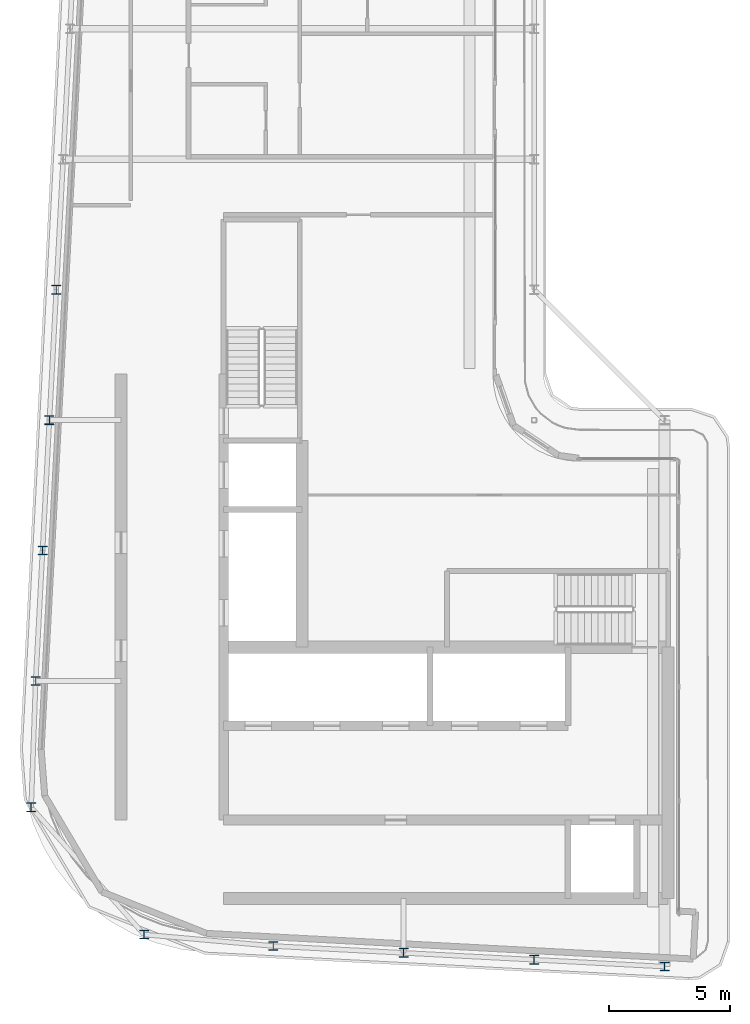
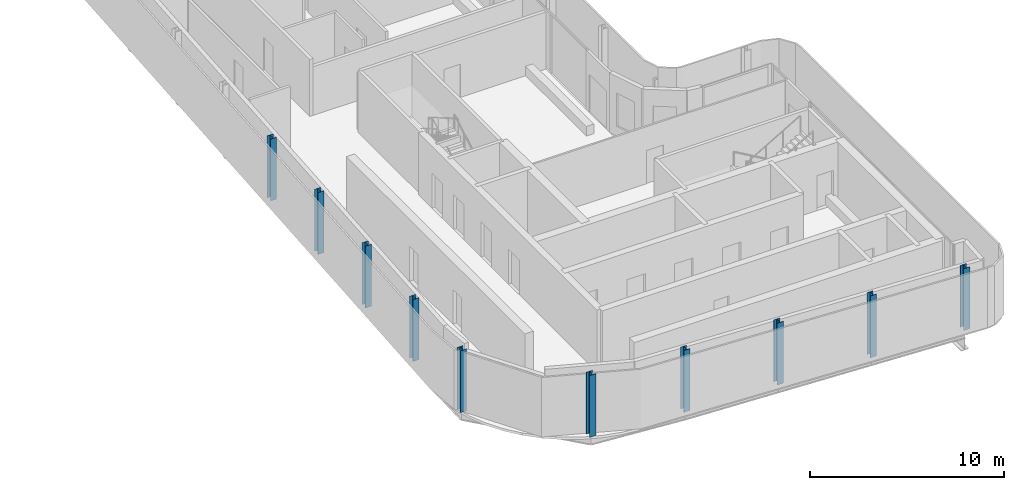
# One storey, part 1 of 17: 10 columns.
"""IFC4 building model written with IfcOpenShell, lengths in metres."""

from ifc_helpers import new_model, si_unit, direction, frame, origin, origin_2d, place, context, subcontext, project, spatial, i_section, extrude, material, material_profile, profile_set, type_object, element, save


model = new_model("IFC4")

# Units and contexts
model_context = context("Model", 3, precision=1e-05, world=origin(), true_north=direction((0.0, 1.0)))
body_context = subcontext(model_context, "Body", "Model", "MODEL_VIEW")
ifc_project = project(units=[si_unit("LENGTHUNIT", "METRE"), si_unit("AREAUNIT", "SQUARE_METRE"), si_unit("VOLUMEUNIT", "CUBIC_METRE"), si_unit("PLANEANGLEUNIT", "RADIAN"), si_unit("MASSUNIT", "GRAM", prefix="KILO")], contexts=[model_context])

# Site, building, storey
site_placement = place(None, origin())
site = spatial("IfcSite", under=ifc_project, at=site_placement, CompositionType="ELEMENT")
building_placement = place(site_placement, origin())
building = spatial("IfcBuilding", under=site, at=building_placement, Name="Kheshtan School and Residences Tower", CompositionType="ELEMENT")
storey_placement = place(building_placement, frame((0.0, 0.0, 342.199951171875)))
storey = spatial("IfcBuildingStorey", under=building, at=storey_placement, Name="L80", CompositionType="ELEMENT", Elevation=342.199951171875)

# Columns
ifc_material = material(Name="Steel ASTM A992 Grade 50", Category="steel")
ifc_material_profile = material_profile(ifc_material, i_section(OverallWidth=0.37109375, OverallDepth=0.364013671875, WebThickness=0.01318359375, FlangeThickness=0.021728515625, FilletRadius=0.010986328125, at=origin_2d()), Name="W360x162")
ifc_profile_set = profile_set([ifc_material_profile], Name="Steel ASTM A992 Grade 50")
column_type = type_object("IfcColumnType", Name="Column C6 W360x162 ASTM A992 Grade 50", PredefinedType="COLUMN", material=ifc_profile_set)
for number, where, z_axis, x_axis, name in (
    (1, (53.0, 22.97998046875, 0.0), (0.0, 0.0, 1.0), (1.0, 0.0, 0.0), "Column C019"),
    (2, (47.60009765625, 23.263916015625, 0.0), (0.0, 0.0, 1.0), (1.0, 0.0, 0.0), "Column C020"),
    (3, (42.199951171875, 23.548095703125, 0.0), (0.0, 0.0, 1.0), (1.0, 0.0, 0.0), "Column C021"),
    (4, (36.800048828125, 23.83203125, 0.0), (0.0, 0.0, 1.0), (1.0, 0.0, 0.0), "Column C022"),
    (5, (31.4541015625, 24.30810546875, 0.0), (0.0, 0.0, 1.0), (1.0, 0.0, 0.0), "Column C033"),
    (6, (26.781005859375, 29.575927734375, 0.0), (0.0, 0.0, 1.0), (1.0, 0.0, 0.0), "Column C046"),
    (7, (26.968994140625, 34.800048828125, 0.0), (0.0, 0.0, 1.0), (1.0, 0.0, 0.0), "Column C052"),
    (8, (27.2529296875, 40.199951171875, 0.0), (0.0, 0.0, 1.0), (1.0, 0.0, 0.0), "Column C056"),
    (9, (27.537109375, 45.60009765625, 0.0), (0.0, 0.0, 1.0), (1.0, 0.0, 0.0), "Column C059"),
    (10, (27.822021484375, 51.0, 0.0), (0.0, 0.0, 1.0), (1.0, 0.0, 0.0), "Column C078"),
):
    element("IfcColumn", number, at=place(storey_placement, frame(where, z_axis=z_axis, x_axis=x_axis)), inside=storey, type_object=column_type, Name=name, PredefinedType="COLUMN", context=body_context, shape_type="SweptSolid", body=[
        extrude(i_section(OverallWidth=0.37109375, OverallDepth=0.364013671875, WebThickness=0.01318359375, FlangeThickness=0.021728515625, FilletRadius=0.010986328125, at=origin_2d()), origin(), (0.0, 0.0, 1.0), 3.900146484375),
    ])

save(model, "model.ifc")
